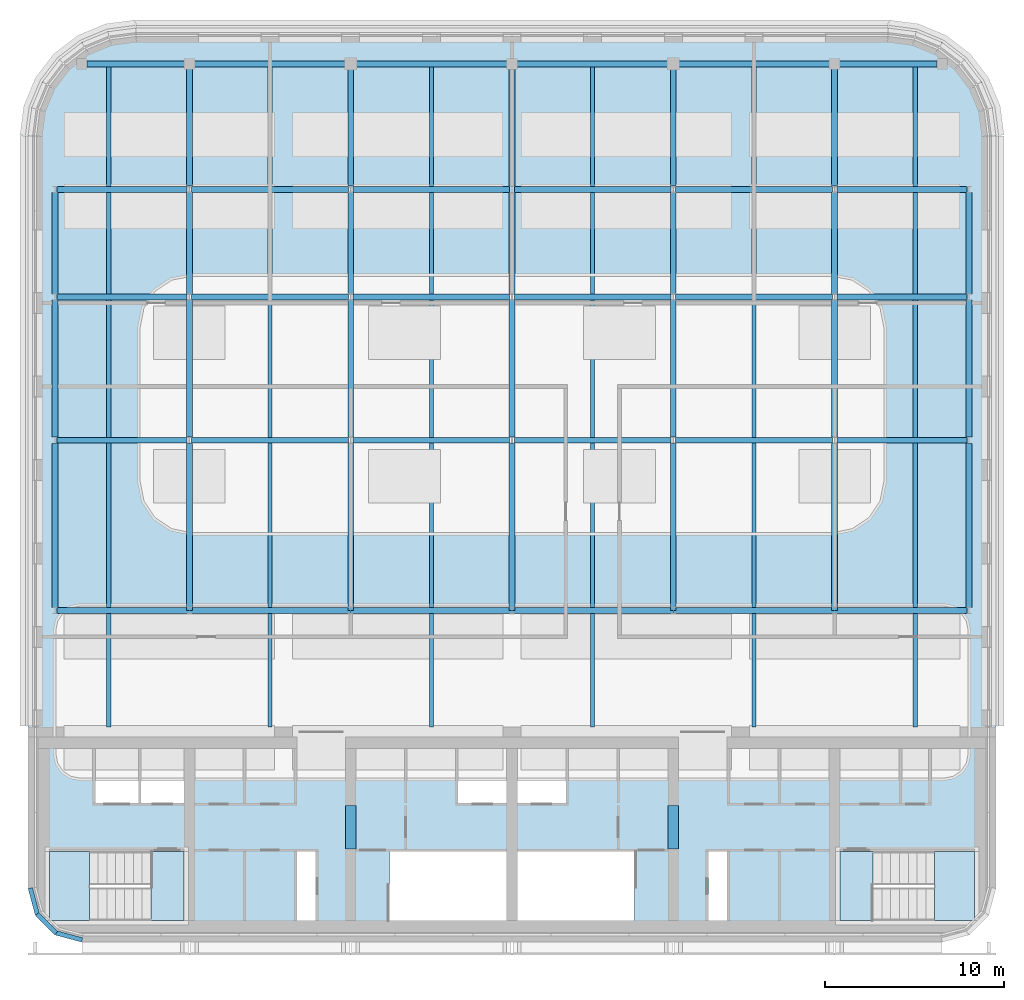
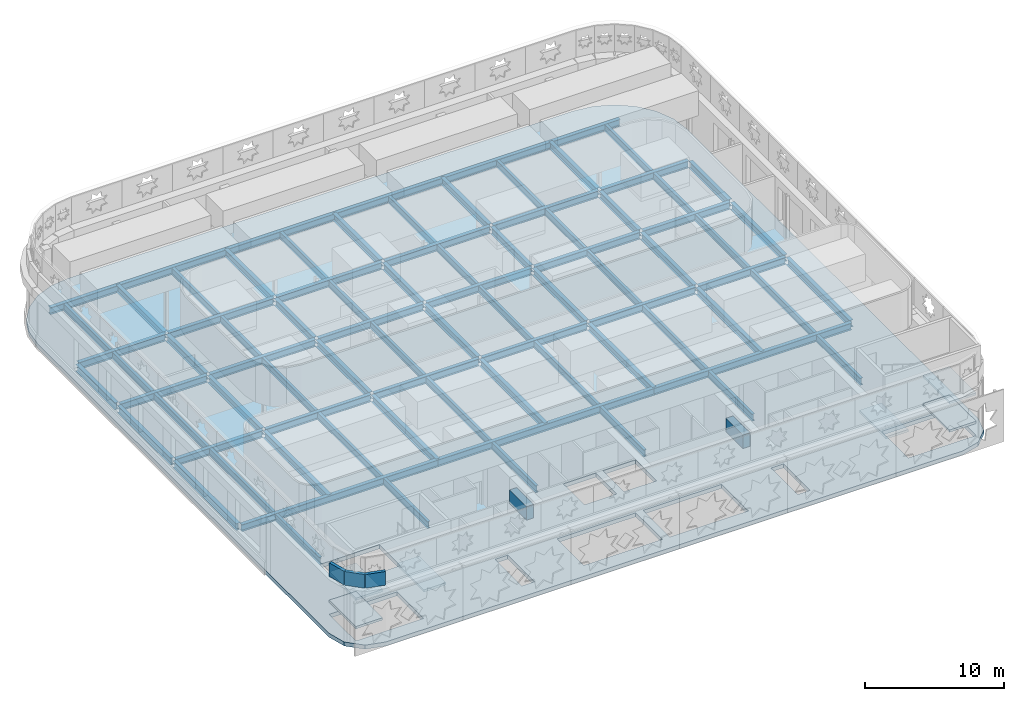
# One storey, part 5 of 14: 58 beams, 7 slabs, 3 walls, 2 elements without a shape of their own.
"""IFC4 building model written with IfcOpenShell, lengths in metres."""

from ifc_helpers import new_model, si_unit, direction, frame, frame_2d, origin, origin_2d, place, context, subcontext, project, spatial, polyline, rectangle, i_section, outline, extrude, material, layer, layer_set, material_profile, profile_set, type_object, element, aggregate, save


model = new_model("IFC4")

# Units and contexts
model_context = context("Model", 3, precision=1e-05, world=origin(), true_north=direction((0.0, 1.0)))
body_context = subcontext(model_context, "Body", "Model", "MODEL_VIEW")
ifc_project = project(units=[si_unit("LENGTHUNIT", "METRE"), si_unit("AREAUNIT", "SQUARE_METRE"), si_unit("VOLUMEUNIT", "CUBIC_METRE"), si_unit("PLANEANGLEUNIT", "RADIAN"), si_unit("MASSUNIT", "GRAM", prefix="KILO")], contexts=[model_context])

# Site, building, storey
site_placement = place(None, origin())
site = spatial("IfcSite", under=ifc_project, at=site_placement, CompositionType="ELEMENT")
building_placement = place(site_placement, origin())
building = spatial("IfcBuilding", under=site, at=building_placement, Name="Zellij Exchange Tower", CompositionType="ELEMENT")
storey_placement = place(building_placement, frame((0.0, 0.0, 305.5)))
storey = spatial("IfcBuildingStorey", under=building, at=storey_placement, Name="L71", CompositionType="ELEMENT", Elevation=305.5)

# Beams
ifc_material_1 = material(Name="Concrete C50/60", Category="concrete")
ifc_material_profile_1 = material_profile(ifc_material_1, rectangle(XDim=0.60009765625, YDim=1.199951171875, at=origin_2d()), Name="CORE-CB 600x1200 C50/60")
ifc_profile_set_1 = profile_set([ifc_material_profile_1], Name="Concrete C50/60")
beam_type_1 = type_object("IfcBeamType", Name="CORE-CB 600x1200 C50/60", PredefinedType="BEAM", material=ifc_profile_set_1)
for number, where, z_axis, x_axis, name in (
    (1, (-9.0, -8.800048828125, 3.0), (0.0, 1.0, 0.0), (-1.0, 0.0, 0.0), "Core coupling beam x -9 L71"),
    (2, (9.0, -8.800048828125, 3.0), (0.0, 1.0, 0.0), (-1.0, 0.0, 0.0), "Core coupling beam x 9 L71"),
):
    element("IfcBeam", number, at=place(storey_placement, frame(where, z_axis=z_axis, x_axis=x_axis)), inside=storey, type_object=beam_type_1, Name=name, PredefinedType="BEAM", context=body_context, shape_type="SweptSolid", body=[
        extrude(rectangle(XDim=0.60009765625, YDim=1.199951171875, at=origin_2d()), origin(), (0.0, 0.0, 1.0), 2.425048828125),
    ])
ifc_material_2 = material(Name="Structural steel ASTM A992 Gr 50", Category="steel")
ifc_material_profile_2 = material_profile(ifc_material_2, i_section(OverallWidth=0.22900390625, OverallDepth=0.612060546875, WebThickness=0.011962890625, FlangeThickness=0.01953125, at=origin_2d()), Name="W24x84")
ifc_profile_set_2 = profile_set([ifc_material_profile_2], Name="Structural steel ASTM A992 Gr 50")
beam_type_2 = type_object("IfcBeamType", Name="STR-BEAM W24x84", PredefinedType="BEAM", material=ifc_profile_set_2)
for number, where, z_axis, x_axis, name in (
    (3, (-22.5, -2.0, -0.656005859375), (0.0, 1.0, 0.0), (-1.0, 0.0, 0.0), "B6"),
    (4, (-13.5, -2.0, -0.656005859375), (0.0, 1.0, 0.0), (-1.0, 0.0, 0.0), "B6"),
    (5, (-4.5, -2.0, -0.656005859375), (0.0, 1.0, 0.0), (-1.0, 0.0, 0.0), "B6"),
    (6, (4.5, -2.0, -0.656005859375), (0.0, 1.0, 0.0), (-1.0, 0.0, 0.0), "B6"),
    (7, (13.5, -2.0, -0.656005859375), (0.0, 1.0, 0.0), (-1.0, 0.0, 0.0), "B6"),
    (8, (22.5, -2.0, -0.656005859375), (0.0, 1.0, 0.0), (-1.0, 0.0, 0.0), "B6"),
):
    element("IfcBeam", number, at=place(storey_placement, frame(where, z_axis=z_axis, x_axis=x_axis)), inside=storey, type_object=beam_type_2, Name=name, PredefinedType="BEAM", context=body_context, shape_type="SweptSolid", body=[
        extrude(i_section(OverallWidth=0.22900390625, OverallDepth=0.612060546875, WebThickness=0.011962890625, FlangeThickness=0.01953125, at=origin_2d()), origin(), (0.0, 0.0, 1.0), 37.16259765625),
    ])
ifc_material_profile_3 = material_profile(ifc_material_2, i_section(OverallWidth=0.3251953125, OverallDepth=0.612060546875, WebThickness=0.0126953125, FlangeThickness=0.01904296875, at=origin_2d()), Name="W24x104")
ifc_profile_set_3 = profile_set([ifc_material_profile_3], Name="Structural steel ASTM A992 Gr 50")
beam_type_3 = type_object("IfcBeamType", Name="STR-GIRDER W24x104", PredefinedType="BEAM", material=ifc_profile_set_3)
beam_1_placement = place(storey_placement, frame((-25.373046875, 4.5, -0.656005859375), z_axis=(1.0, 0.0, 0.0), x_axis=(0.0, 1.0, 0.0)))
element("IfcBeam", 9, at=beam_1_placement, inside=storey, type_object=beam_type_3, Name="G3", PredefinedType="BEAM", context=body_context, shape_type="SweptSolid", body=[
    extrude(i_section(OverallWidth=0.3251953125, OverallDepth=0.612060546875, WebThickness=0.0126953125, FlangeThickness=0.01904296875, at=origin_2d()), origin(), (0.0, 0.0, 1.0), 16.373046875),
])
beam_2_placement = place(storey_placement, frame((-9.0, 4.5, -0.656005859375), z_axis=(1.0, 0.0, 0.0), x_axis=(0.0, 1.0, 0.0)))
element("IfcBeam", 10, at=beam_2_placement, inside=storey, type_object=beam_type_3, Name="G3", PredefinedType="BEAM", context=body_context, shape_type="SweptSolid", body=[
    extrude(i_section(OverallWidth=0.3251953125, OverallDepth=0.612060546875, WebThickness=0.0126953125, FlangeThickness=0.01904296875, at=origin_2d()), origin(), (0.0, 0.0, 1.0), 18.0),
])
beam_3_placement = place(storey_placement, frame((9.0, 4.5, -0.656005859375), z_axis=(1.0, 0.0, 0.0), x_axis=(0.0, 1.0, 0.0)))
element("IfcBeam", 11, at=beam_3_placement, inside=storey, type_object=beam_type_3, Name="G3", PredefinedType="BEAM", context=body_context, shape_type="SweptSolid", body=[
    extrude(i_section(OverallWidth=0.3251953125, OverallDepth=0.612060546875, WebThickness=0.0126953125, FlangeThickness=0.01904296875, at=origin_2d()), origin(), (0.0, 0.0, 1.0), 16.373046875),
])
beam_4_placement = place(storey_placement, frame((-25.373046875, 14.0, -0.656005859375), z_axis=(1.0, 0.0, 0.0), x_axis=(0.0, 1.0, 0.0)))
element("IfcBeam", 12, at=beam_4_placement, inside=storey, type_object=beam_type_3, Name="G3", PredefinedType="BEAM", context=body_context, shape_type="SweptSolid", body=[
    extrude(i_section(OverallWidth=0.3251953125, OverallDepth=0.612060546875, WebThickness=0.0126953125, FlangeThickness=0.01904296875, at=origin_2d()), origin(), (0.0, 0.0, 1.0), 7.24609375),
])
for number, where, z_axis, x_axis, name in (
    (13, (-17.873046875, 14.0, -0.656005859375), (1.0, 0.0, 0.0), (0.0, 1.0, 0.0), "G3"),
    (14, (-8.873046875, 14.0, -0.656005859375), (1.0, 0.0, 0.0), (0.0, 1.0, 0.0), "G3"),
    (15, (0.126953125, 14.0, -0.656005859375), (1.0, 0.0, 0.0), (0.0, 1.0, 0.0), "G3"),
    (16, (9.126953125, 14.0, -0.656005859375), (1.0, 0.0, 0.0), (0.0, 1.0, 0.0), "G3"),
):
    element("IfcBeam", number, at=place(storey_placement, frame(where, z_axis=z_axis, x_axis=x_axis)), inside=storey, type_object=beam_type_3, Name=name, PredefinedType="BEAM", context=body_context, shape_type="SweptSolid", body=[
        extrude(i_section(OverallWidth=0.3251953125, OverallDepth=0.612060546875, WebThickness=0.0126953125, FlangeThickness=0.01904296875, at=origin_2d()), origin(), (0.0, 0.0, 1.0), 8.74609375),
    ])
for number, where, z_axis, x_axis, name in (
    (17, (18.126953125, 14.0, -0.656005859375), (1.0, 0.0, 0.0), (0.0, 1.0, 0.0), "G3"),
    (18, (-25.373046875, 22.0, -0.656005859375), (1.0, 0.0, 0.0), (0.0, 1.0, 0.0), "G3"),
):
    element("IfcBeam", number, at=place(storey_placement, frame(where, z_axis=z_axis, x_axis=x_axis)), inside=storey, type_object=beam_type_3, Name=name, PredefinedType="BEAM", context=body_context, shape_type="SweptSolid", body=[
        extrude(i_section(OverallWidth=0.3251953125, OverallDepth=0.612060546875, WebThickness=0.0126953125, FlangeThickness=0.01904296875, at=origin_2d()), origin(), (0.0, 0.0, 1.0), 7.24609375),
    ])
for number, where, z_axis, x_axis, name in (
    (19, (-17.873046875, 22.0, -0.656005859375), (1.0, 0.0, 0.0), (0.0, 1.0, 0.0), "G3"),
    (20, (-8.873046875, 22.0, -0.656005859375), (1.0, 0.0, 0.0), (0.0, 1.0, 0.0), "G3"),
    (21, (0.126953125, 22.0, -0.656005859375), (1.0, 0.0, 0.0), (0.0, 1.0, 0.0), "G3"),
    (22, (9.126953125, 22.0, -0.656005859375), (1.0, 0.0, 0.0), (0.0, 1.0, 0.0), "G3"),
):
    element("IfcBeam", number, at=place(storey_placement, frame(where, z_axis=z_axis, x_axis=x_axis)), inside=storey, type_object=beam_type_3, Name=name, PredefinedType="BEAM", context=body_context, shape_type="SweptSolid", body=[
        extrude(i_section(OverallWidth=0.3251953125, OverallDepth=0.612060546875, WebThickness=0.0126953125, FlangeThickness=0.01904296875, at=origin_2d()), origin(), (0.0, 0.0, 1.0), 8.74609375),
    ])
for number, where, z_axis, x_axis, name in (
    (23, (18.126953125, 22.0, -0.656005859375), (1.0, 0.0, 0.0), (0.0, 1.0, 0.0), "G3"),
    (24, (-25.373046875, 28.0, -0.656005859375), (1.0, 0.0, 0.0), (0.0, 1.0, 0.0), "G3"),
):
    element("IfcBeam", number, at=place(storey_placement, frame(where, z_axis=z_axis, x_axis=x_axis)), inside=storey, type_object=beam_type_3, Name=name, PredefinedType="BEAM", context=body_context, shape_type="SweptSolid", body=[
        extrude(i_section(OverallWidth=0.3251953125, OverallDepth=0.612060546875, WebThickness=0.0126953125, FlangeThickness=0.01904296875, at=origin_2d()), origin(), (0.0, 0.0, 1.0), 7.24609375),
    ])
for number, where, z_axis, x_axis, name in (
    (25, (-17.873046875, 28.0, -0.656005859375), (1.0, 0.0, 0.0), (0.0, 1.0, 0.0), "G3"),
    (26, (-8.873046875, 28.0, -0.656005859375), (1.0, 0.0, 0.0), (0.0, 1.0, 0.0), "G3"),
    (27, (0.126953125, 28.0, -0.656005859375), (1.0, 0.0, 0.0), (0.0, 1.0, 0.0), "G3"),
    (28, (9.126953125, 28.0, -0.656005859375), (1.0, 0.0, 0.0), (0.0, 1.0, 0.0), "G3"),
):
    element("IfcBeam", number, at=place(storey_placement, frame(where, z_axis=z_axis, x_axis=x_axis)), inside=storey, type_object=beam_type_3, Name=name, PredefinedType="BEAM", context=body_context, shape_type="SweptSolid", body=[
        extrude(i_section(OverallWidth=0.3251953125, OverallDepth=0.612060546875, WebThickness=0.0126953125, FlangeThickness=0.01904296875, at=origin_2d()), origin(), (0.0, 0.0, 1.0), 8.74609375),
    ])
beam_5_placement = place(storey_placement, frame((18.126953125, 28.0, -0.656005859375), z_axis=(1.0, 0.0, 0.0), x_axis=(0.0, 1.0, 0.0)))
element("IfcBeam", 29, at=beam_5_placement, inside=storey, type_object=beam_type_3, Name="G3", PredefinedType="BEAM", context=body_context, shape_type="SweptSolid", body=[
    extrude(i_section(OverallWidth=0.3251953125, OverallDepth=0.612060546875, WebThickness=0.0126953125, FlangeThickness=0.01904296875, at=origin_2d()), origin(), (0.0, 0.0, 1.0), 7.24609375),
])
beam_6_placement = place(storey_placement, frame((-23.699951171875, 35.0, -0.656005859375), z_axis=(1.0, 0.0, 0.0), x_axis=(0.0, 1.0, 0.0)))
element("IfcBeam", 30, at=beam_6_placement, inside=storey, type_object=beam_type_3, Name="G3", PredefinedType="BEAM", context=body_context, shape_type="SweptSolid", body=[
    extrude(i_section(OverallWidth=0.3251953125, OverallDepth=0.612060546875, WebThickness=0.0126953125, FlangeThickness=0.01904296875, at=origin_2d()), origin(), (0.0, 0.0, 1.0), 14.699951171875),
])
beam_7_placement = place(storey_placement, frame((-9.0, 35.0, -0.656005859375), z_axis=(1.0, 0.0, 0.0), x_axis=(0.0, 1.0, 0.0)))
element("IfcBeam", 31, at=beam_7_placement, inside=storey, type_object=beam_type_3, Name="G3", PredefinedType="BEAM", context=body_context, shape_type="SweptSolid", body=[
    extrude(i_section(OverallWidth=0.3251953125, OverallDepth=0.612060546875, WebThickness=0.0126953125, FlangeThickness=0.01904296875, at=origin_2d()), origin(), (0.0, 0.0, 1.0), 18.0),
])
beam_8_placement = place(storey_placement, frame((9.0, 35.0, -0.656005859375), z_axis=(1.0, 0.0, 0.0), x_axis=(0.0, 1.0, 0.0)))
element("IfcBeam", 32, at=beam_8_placement, inside=storey, type_object=beam_type_3, Name="G3", PredefinedType="BEAM", context=body_context, shape_type="SweptSolid", body=[
    extrude(i_section(OverallWidth=0.3251953125, OverallDepth=0.612060546875, WebThickness=0.0126953125, FlangeThickness=0.01904296875, at=origin_2d()), origin(), (0.0, 0.0, 1.0), 14.699951171875),
])
beam_9_placement = place(storey_placement, frame((-25.5, 4.676513671875, -0.656005859375), z_axis=(0.0, 1.0, 0.0), x_axis=(-1.0, 0.0, 0.0)))
element("IfcBeam", 33, at=beam_9_placement, inside=storey, type_object=beam_type_3, Name="G3", PredefinedType="BEAM", context=body_context, shape_type="SweptSolid", body=[
    extrude(i_section(OverallWidth=0.3251953125, OverallDepth=0.612060546875, WebThickness=0.0126953125, FlangeThickness=0.01904296875, at=origin_2d()), origin(), (0.0, 0.0, 1.0), 9.14697265625),
])
beam_10_placement = place(storey_placement, frame((-25.5, 14.176513671875, -0.656005859375), z_axis=(0.0, 1.0, 0.0), x_axis=(-1.0, 0.0, 0.0)))
element("IfcBeam", 34, at=beam_10_placement, inside=storey, type_object=beam_type_3, Name="G3", PredefinedType="BEAM", context=body_context, shape_type="SweptSolid", body=[
    extrude(i_section(OverallWidth=0.3251953125, OverallDepth=0.612060546875, WebThickness=0.0126953125, FlangeThickness=0.01904296875, at=origin_2d()), origin(), (0.0, 0.0, 1.0), 7.64697265625),
])
beam_11_placement = place(storey_placement, frame((-25.5, 22.176513671875, -0.656005859375), z_axis=(0.0, 1.0, 0.0), x_axis=(-1.0, 0.0, 0.0)))
element("IfcBeam", 35, at=beam_11_placement, inside=storey, type_object=beam_type_3, Name="G3", PredefinedType="BEAM", context=body_context, shape_type="SweptSolid", body=[
    extrude(i_section(OverallWidth=0.3251953125, OverallDepth=0.612060546875, WebThickness=0.0126953125, FlangeThickness=0.01904296875, at=origin_2d()), origin(), (0.0, 0.0, 1.0), 5.64697265625),
])
beam_12_placement = place(storey_placement, frame((-18.0, 4.5, -0.656005859375), z_axis=(0.0, 1.0, 0.0), x_axis=(-1.0, 0.0, 0.0)))
element("IfcBeam", 36, at=beam_12_placement, inside=storey, type_object=beam_type_3, Name="G3", PredefinedType="BEAM", context=body_context, shape_type="SweptSolid", body=[
    extrude(i_section(OverallWidth=0.3251953125, OverallDepth=0.612060546875, WebThickness=0.0126953125, FlangeThickness=0.01904296875, at=origin_2d()), origin(), (0.0, 0.0, 1.0), 9.323486328125),
])
beam_13_placement = place(storey_placement, frame((-18.0, 14.176513671875, -0.656005859375), z_axis=(0.0, 1.0, 0.0), x_axis=(-1.0, 0.0, 0.0)))
element("IfcBeam", 37, at=beam_13_placement, inside=storey, type_object=beam_type_3, Name="G3", PredefinedType="BEAM", context=body_context, shape_type="SweptSolid", body=[
    extrude(i_section(OverallWidth=0.3251953125, OverallDepth=0.612060546875, WebThickness=0.0126953125, FlangeThickness=0.01904296875, at=origin_2d()), origin(), (0.0, 0.0, 1.0), 7.64697265625),
])
beam_14_placement = place(storey_placement, frame((-18.0, 22.176513671875, -0.656005859375), z_axis=(0.0, 1.0, 0.0), x_axis=(-1.0, 0.0, 0.0)))
element("IfcBeam", 38, at=beam_14_placement, inside=storey, type_object=beam_type_3, Name="G3", PredefinedType="BEAM", context=body_context, shape_type="SweptSolid", body=[
    extrude(i_section(OverallWidth=0.3251953125, OverallDepth=0.612060546875, WebThickness=0.0126953125, FlangeThickness=0.01904296875, at=origin_2d()), origin(), (0.0, 0.0, 1.0), 5.64697265625),
])
beam_15_placement = place(storey_placement, frame((-18.0, 28.176513671875, -0.656005859375), z_axis=(0.0, 1.0, 0.0), x_axis=(-1.0, 0.0, 0.0)))
element("IfcBeam", 39, at=beam_15_placement, inside=storey, type_object=beam_type_3, Name="G3", PredefinedType="BEAM", context=body_context, shape_type="SweptSolid", body=[
    extrude(i_section(OverallWidth=0.3251953125, OverallDepth=0.612060546875, WebThickness=0.0126953125, FlangeThickness=0.01904296875, at=origin_2d()), origin(), (0.0, 0.0, 1.0), 6.823486328125),
])
beam_16_placement = place(storey_placement, frame((-9.0, 4.5, -0.656005859375), z_axis=(0.0, 1.0, 0.0), x_axis=(-1.0, 0.0, 0.0)))
element("IfcBeam", 40, at=beam_16_placement, inside=storey, type_object=beam_type_3, Name="G3", PredefinedType="BEAM", context=body_context, shape_type="SweptSolid", body=[
    extrude(i_section(OverallWidth=0.3251953125, OverallDepth=0.612060546875, WebThickness=0.0126953125, FlangeThickness=0.01904296875, at=origin_2d()), origin(), (0.0, 0.0, 1.0), 9.323486328125),
])
beam_17_placement = place(storey_placement, frame((-9.0, 14.176513671875, -0.656005859375), z_axis=(0.0, 1.0, 0.0), x_axis=(-1.0, 0.0, 0.0)))
element("IfcBeam", 41, at=beam_17_placement, inside=storey, type_object=beam_type_3, Name="G3", PredefinedType="BEAM", context=body_context, shape_type="SweptSolid", body=[
    extrude(i_section(OverallWidth=0.3251953125, OverallDepth=0.612060546875, WebThickness=0.0126953125, FlangeThickness=0.01904296875, at=origin_2d()), origin(), (0.0, 0.0, 1.0), 7.64697265625),
])
beam_18_placement = place(storey_placement, frame((-9.0, 22.176513671875, -0.656005859375), z_axis=(0.0, 1.0, 0.0), x_axis=(-1.0, 0.0, 0.0)))
element("IfcBeam", 42, at=beam_18_placement, inside=storey, type_object=beam_type_3, Name="G3", PredefinedType="BEAM", context=body_context, shape_type="SweptSolid", body=[
    extrude(i_section(OverallWidth=0.3251953125, OverallDepth=0.612060546875, WebThickness=0.0126953125, FlangeThickness=0.01904296875, at=origin_2d()), origin(), (0.0, 0.0, 1.0), 5.64697265625),
])
beam_19_placement = place(storey_placement, frame((-9.0, 28.176513671875, -0.656005859375), z_axis=(0.0, 1.0, 0.0), x_axis=(-1.0, 0.0, 0.0)))
element("IfcBeam", 43, at=beam_19_placement, inside=storey, type_object=beam_type_3, Name="G3", PredefinedType="BEAM", context=body_context, shape_type="SweptSolid", body=[
    extrude(i_section(OverallWidth=0.3251953125, OverallDepth=0.612060546875, WebThickness=0.0126953125, FlangeThickness=0.01904296875, at=origin_2d()), origin(), (0.0, 0.0, 1.0), 6.823486328125),
])
beam_20_placement = place(storey_placement, frame((0.0, 4.5, -0.656005859375), z_axis=(0.0, 1.0, 0.0), x_axis=(-1.0, 0.0, 0.0)))
element("IfcBeam", 44, at=beam_20_placement, inside=storey, type_object=beam_type_3, Name="G3", PredefinedType="BEAM", context=body_context, shape_type="SweptSolid", body=[
    extrude(i_section(OverallWidth=0.3251953125, OverallDepth=0.612060546875, WebThickness=0.0126953125, FlangeThickness=0.01904296875, at=origin_2d()), origin(), (0.0, 0.0, 1.0), 9.323486328125),
])
beam_21_placement = place(storey_placement, frame((0.0, 14.176513671875, -0.656005859375), z_axis=(0.0, 1.0, 0.0), x_axis=(-1.0, 0.0, 0.0)))
element("IfcBeam", 45, at=beam_21_placement, inside=storey, type_object=beam_type_3, Name="G3", PredefinedType="BEAM", context=body_context, shape_type="SweptSolid", body=[
    extrude(i_section(OverallWidth=0.3251953125, OverallDepth=0.612060546875, WebThickness=0.0126953125, FlangeThickness=0.01904296875, at=origin_2d()), origin(), (0.0, 0.0, 1.0), 7.64697265625),
])
beam_22_placement = place(storey_placement, frame((0.0, 22.176513671875, -0.656005859375), z_axis=(0.0, 1.0, 0.0), x_axis=(-1.0, 0.0, 0.0)))
element("IfcBeam", 46, at=beam_22_placement, inside=storey, type_object=beam_type_3, Name="G3", PredefinedType="BEAM", context=body_context, shape_type="SweptSolid", body=[
    extrude(i_section(OverallWidth=0.3251953125, OverallDepth=0.612060546875, WebThickness=0.0126953125, FlangeThickness=0.01904296875, at=origin_2d()), origin(), (0.0, 0.0, 1.0), 5.64697265625),
])
beam_23_placement = place(storey_placement, frame((0.0, 28.176513671875, -0.656005859375), z_axis=(0.0, 1.0, 0.0), x_axis=(-1.0, 0.0, 0.0)))
element("IfcBeam", 47, at=beam_23_placement, inside=storey, type_object=beam_type_3, Name="G3", PredefinedType="BEAM", context=body_context, shape_type="SweptSolid", body=[
    extrude(i_section(OverallWidth=0.3251953125, OverallDepth=0.612060546875, WebThickness=0.0126953125, FlangeThickness=0.01904296875, at=origin_2d()), origin(), (0.0, 0.0, 1.0), 6.823486328125),
])
beam_24_placement = place(storey_placement, frame((9.0, 4.5, -0.656005859375), z_axis=(0.0, 1.0, 0.0), x_axis=(-1.0, 0.0, 0.0)))
element("IfcBeam", 48, at=beam_24_placement, inside=storey, type_object=beam_type_3, Name="G3", PredefinedType="BEAM", context=body_context, shape_type="SweptSolid", body=[
    extrude(i_section(OverallWidth=0.3251953125, OverallDepth=0.612060546875, WebThickness=0.0126953125, FlangeThickness=0.01904296875, at=origin_2d()), origin(), (0.0, 0.0, 1.0), 9.323486328125),
])
beam_25_placement = place(storey_placement, frame((9.0, 14.176513671875, -0.656005859375), z_axis=(0.0, 1.0, 0.0), x_axis=(-1.0, 0.0, 0.0)))
element("IfcBeam", 49, at=beam_25_placement, inside=storey, type_object=beam_type_3, Name="G3", PredefinedType="BEAM", context=body_context, shape_type="SweptSolid", body=[
    extrude(i_section(OverallWidth=0.3251953125, OverallDepth=0.612060546875, WebThickness=0.0126953125, FlangeThickness=0.01904296875, at=origin_2d()), origin(), (0.0, 0.0, 1.0), 7.64697265625),
])
beam_26_placement = place(storey_placement, frame((9.0, 22.176513671875, -0.656005859375), z_axis=(0.0, 1.0, 0.0), x_axis=(-1.0, 0.0, 0.0)))
element("IfcBeam", 50, at=beam_26_placement, inside=storey, type_object=beam_type_3, Name="G3", PredefinedType="BEAM", context=body_context, shape_type="SweptSolid", body=[
    extrude(i_section(OverallWidth=0.3251953125, OverallDepth=0.612060546875, WebThickness=0.0126953125, FlangeThickness=0.01904296875, at=origin_2d()), origin(), (0.0, 0.0, 1.0), 5.64697265625),
])
beam_27_placement = place(storey_placement, frame((9.0, 28.176513671875, -0.656005859375), z_axis=(0.0, 1.0, 0.0), x_axis=(-1.0, 0.0, 0.0)))
element("IfcBeam", 51, at=beam_27_placement, inside=storey, type_object=beam_type_3, Name="G3", PredefinedType="BEAM", context=body_context, shape_type="SweptSolid", body=[
    extrude(i_section(OverallWidth=0.3251953125, OverallDepth=0.612060546875, WebThickness=0.0126953125, FlangeThickness=0.01904296875, at=origin_2d()), origin(), (0.0, 0.0, 1.0), 6.823486328125),
])
beam_28_placement = place(storey_placement, frame((18.0, 4.5, -0.656005859375), z_axis=(0.0, 1.0, 0.0), x_axis=(-1.0, 0.0, 0.0)))
element("IfcBeam", 52, at=beam_28_placement, inside=storey, type_object=beam_type_3, Name="G3", PredefinedType="BEAM", context=body_context, shape_type="SweptSolid", body=[
    extrude(i_section(OverallWidth=0.3251953125, OverallDepth=0.612060546875, WebThickness=0.0126953125, FlangeThickness=0.01904296875, at=origin_2d()), origin(), (0.0, 0.0, 1.0), 9.323486328125),
])
beam_29_placement = place(storey_placement, frame((18.0, 14.176513671875, -0.656005859375), z_axis=(0.0, 1.0, 0.0), x_axis=(-1.0, 0.0, 0.0)))
element("IfcBeam", 53, at=beam_29_placement, inside=storey, type_object=beam_type_3, Name="G3", PredefinedType="BEAM", context=body_context, shape_type="SweptSolid", body=[
    extrude(i_section(OverallWidth=0.3251953125, OverallDepth=0.612060546875, WebThickness=0.0126953125, FlangeThickness=0.01904296875, at=origin_2d()), origin(), (0.0, 0.0, 1.0), 7.64697265625),
])
beam_30_placement = place(storey_placement, frame((18.0, 22.176513671875, -0.656005859375), z_axis=(0.0, 1.0, 0.0), x_axis=(-1.0, 0.0, 0.0)))
element("IfcBeam", 54, at=beam_30_placement, inside=storey, type_object=beam_type_3, Name="G3", PredefinedType="BEAM", context=body_context, shape_type="SweptSolid", body=[
    extrude(i_section(OverallWidth=0.3251953125, OverallDepth=0.612060546875, WebThickness=0.0126953125, FlangeThickness=0.01904296875, at=origin_2d()), origin(), (0.0, 0.0, 1.0), 5.64697265625),
])
beam_31_placement = place(storey_placement, frame((18.0, 28.176513671875, -0.656005859375), z_axis=(0.0, 1.0, 0.0), x_axis=(-1.0, 0.0, 0.0)))
element("IfcBeam", 55, at=beam_31_placement, inside=storey, type_object=beam_type_3, Name="G3", PredefinedType="BEAM", context=body_context, shape_type="SweptSolid", body=[
    extrude(i_section(OverallWidth=0.3251953125, OverallDepth=0.612060546875, WebThickness=0.0126953125, FlangeThickness=0.01904296875, at=origin_2d()), origin(), (0.0, 0.0, 1.0), 6.823486328125),
])
beam_32_placement = place(storey_placement, frame((25.5, 4.676513671875, -0.656005859375), z_axis=(0.0, 1.0, 0.0), x_axis=(-1.0, 0.0, 0.0)))
element("IfcBeam", 56, at=beam_32_placement, inside=storey, type_object=beam_type_3, Name="G3", PredefinedType="BEAM", context=body_context, shape_type="SweptSolid", body=[
    extrude(i_section(OverallWidth=0.3251953125, OverallDepth=0.612060546875, WebThickness=0.0126953125, FlangeThickness=0.01904296875, at=origin_2d()), origin(), (0.0, 0.0, 1.0), 9.14697265625),
])
beam_33_placement = place(storey_placement, frame((25.5, 14.176513671875, -0.656005859375), z_axis=(0.0, 1.0, 0.0), x_axis=(-1.0, 0.0, 0.0)))
element("IfcBeam", 57, at=beam_33_placement, inside=storey, type_object=beam_type_3, Name="G3", PredefinedType="BEAM", context=body_context, shape_type="SweptSolid", body=[
    extrude(i_section(OverallWidth=0.3251953125, OverallDepth=0.612060546875, WebThickness=0.0126953125, FlangeThickness=0.01904296875, at=origin_2d()), origin(), (0.0, 0.0, 1.0), 7.64697265625),
])
beam_34_placement = place(storey_placement, frame((25.5, 22.176513671875, -0.656005859375), z_axis=(0.0, 1.0, 0.0), x_axis=(-1.0, 0.0, 0.0)))
element("IfcBeam", 58, at=beam_34_placement, inside=storey, type_object=beam_type_3, Name="G3", PredefinedType="BEAM", context=body_context, shape_type="SweptSolid", body=[
    extrude(i_section(OverallWidth=0.3251953125, OverallDepth=0.612060546875, WebThickness=0.0126953125, FlangeThickness=0.01904296875, at=origin_2d()), origin(), (0.0, 0.0, 1.0), 5.64697265625),
])

# Stair, slabs
ifc_material_3 = material(Name="Concrete C40/50", Category="concrete")
stair_type = type_object("IfcStairType", Name="CORE-ST exit stair 1850 wide", PredefinedType="HALF_TURN_STAIR", material=ifc_material_3)
stair_1_placement = place(storey_placement, origin())
stair_1 = element("IfcStair", 59, at=stair_1_placement, inside=storey, type_object=stair_type, Name="L71 exit stair ST1", PredefinedType="HALF_TURN_STAIR")
ifc_layer_1 = layer(ifc_material_3, 0.199951171875)
ifc_layer_set_1 = layer_set([ifc_layer_1], Name="Concrete C40/50")
slab_type_1 = type_object("IfcSlabType", Name="CORE-SL stair landing 200", PredefinedType="LANDING", material=ifc_layer_set_1)
slab_1_placement = place(storey_placement, frame((0.0, 0.0, 1.050048828125)))
slab_1 = element("IfcSlab", 60, at=slab_1_placement, type_object=slab_type_1, Name="ST1 landing 1", PredefinedType="LANDING", context=body_context, shape_type="SweptSolid", body=[
    extrude(outline(polyline([(-23.580078125, -8.949951171875), (-25.800048828125, -8.949951171875), (-25.800048828125, -12.800048828125), (-23.580078125, -12.800048828125), (-23.580078125, -8.949951171875)])), origin(), (0.0, 0.0, 1.0), 0.199951171875),
])
slab_2_placement = place(storey_placement, frame((0.0, 0.0, 2.300048828125)))
slab_2 = element("IfcSlab", 61, at=slab_2_placement, type_object=slab_type_1, Name="ST1 landing 2", PredefinedType="LANDING", context=body_context, shape_type="SweptSolid", body=[
    extrude(outline(polyline([(-18.300048828125, -8.949951171875), (-20.14990234375, -8.949951171875), (-20.14990234375, -12.800048828125), (-18.300048828125, -12.800048828125), (-18.300048828125, -8.949951171875)])), origin(), (0.0, 0.0, 1.0), 0.199951171875),
])
slab_3_placement = place(storey_placement, frame((0.0, 0.0, 3.550048828125)))
slab_3 = element("IfcSlab", 62, at=slab_3_placement, type_object=slab_type_1, Name="ST1 landing 3", PredefinedType="LANDING", context=body_context, shape_type="SweptSolid", body=[
    extrude(outline(polyline([(-23.580078125, -8.949951171875), (-25.800048828125, -8.949951171875), (-25.800048828125, -12.800048828125), (-23.580078125, -12.800048828125), (-23.580078125, -8.949951171875)])), origin(), (0.0, 0.0, 1.0), 0.199951171875),
])
aggregate(stair_1, [slab_1, slab_2, slab_3])

stair_2_placement = place(storey_placement, origin())
stair_2 = element("IfcStair", 63, at=stair_2_placement, inside=storey, type_object=stair_type, Name="L71 exit stair ST4", PredefinedType="HALF_TURN_STAIR")
slab_4_placement = place(storey_placement, frame((0.0, 0.0, 1.050048828125)))
slab_4 = element("IfcSlab", 64, at=slab_4_placement, type_object=slab_type_1, Name="ST4 landing 1", PredefinedType="LANDING", context=body_context, shape_type="SweptSolid", body=[
    extrude(outline(polyline([(23.580078125, -12.800048828125), (25.800048828125, -12.800048828125), (25.800048828125, -8.949951171875), (23.580078125, -8.949951171875), (23.580078125, -12.800048828125)])), origin(), (0.0, 0.0, 1.0), 0.199951171875),
])
slab_5_placement = place(storey_placement, frame((0.0, 0.0, 2.300048828125)))
slab_5 = element("IfcSlab", 65, at=slab_5_placement, type_object=slab_type_1, Name="ST4 landing 2", PredefinedType="LANDING", context=body_context, shape_type="SweptSolid", body=[
    extrude(outline(polyline([(18.300048828125, -12.800048828125), (20.14990234375, -12.800048828125), (20.14990234375, -8.949951171875), (18.300048828125, -8.949951171875), (18.300048828125, -12.800048828125)])), origin(), (0.0, 0.0, 1.0), 0.199951171875),
])
slab_6_placement = place(storey_placement, frame((0.0, 0.0, 3.550048828125)))
slab_6 = element("IfcSlab", 66, at=slab_6_placement, type_object=slab_type_1, Name="ST4 landing 3", PredefinedType="LANDING", context=body_context, shape_type="SweptSolid", body=[
    extrude(outline(polyline([(23.580078125, -12.800048828125), (25.800048828125, -12.800048828125), (25.800048828125, -8.949951171875), (23.580078125, -8.949951171875), (23.580078125, -12.800048828125)])), origin(), (0.0, 0.0, 1.0), 0.199951171875),
])
aggregate(stair_2, [slab_4, slab_5, slab_6])

# Slab
ifc_layer_2 = layer(ifc_material_3, 0.35009765625)
ifc_layer_set_2 = layer_set([ifc_layer_2], Name="Concrete C40/50")
slab_type_2 = type_object("IfcSlabType", Name="STR-FLOOR SLAB 350 C40/50", PredefinedType="FLOOR", material=ifc_layer_set_2)
slab_7_placement = place(storey_placement, frame((0.0, 0.0, -0.35009765625)))
element("IfcSlab", 67, at=slab_7_placement, inside=storey, type_object=slab_type_2, Name="Floor L71", PredefinedType="FLOOR", context=body_context, shape_type="SweptSolid", body=[
    extrude(outline(polyline([(-24.0, -14.0), (-25.5, -13.59814453125), (-26.59814453125, -12.5), (-27.0, -11.0), (-27.0, 31.0), (-26.795654296875, 32.552978515625), (-26.1962890625, 34.0), (-25.24267578125, 35.24267578125), (-24.0, 36.1962890625), (-22.552978515625, 36.795654296875), (-21.0, 37.0), (21.0, 37.0), (22.552978515625, 36.795654296875), (24.0, 36.1962890625), (25.24267578125, 35.24267578125), (26.1962890625, 34.0), (26.795654296875, 32.552978515625), (27.0, 31.0), (27.0, -11.0), (26.59814453125, -12.5), (25.5, -13.59814453125), (24.0, -14.0), (-24.0, -14.0)]), holes=[polyline([(-25.800048828125, -8.949951171875), (-25.800048828125, -12.800048828125), (-20.153076171875, -12.800048828125), (-20.153076171875, -8.949951171875), (-25.800048828125, -8.949951171875)]), polyline([(-12.0, -8.949951171875), (-12.0, -12.800048828125), (-10.949951171875, -12.800048828125), (-10.949951171875, -8.949951171875), (-12.0, -8.949951171875)]), polyline([(-6.846923828125, -8.949951171875), (-6.846923828125, -12.800048828125), (-0.300048828125, -12.800048828125), (-0.300048828125, -8.949951171875), (-6.846923828125, -8.949951171875)]), polyline([(0.300048828125, -8.949951171875), (0.300048828125, -12.800048828125), (6.846923828125, -12.800048828125), (6.846923828125, -8.949951171875), (0.300048828125, -8.949951171875)]), polyline([(10.949951171875, -8.949951171875), (10.949951171875, -12.800048828125), (12.0, -12.800048828125), (12.0, -8.949951171875), (10.949951171875, -8.949951171875)]), polyline([(20.153076171875, -8.949951171875), (20.153076171875, -12.800048828125), (25.800048828125, -12.800048828125), (25.800048828125, -8.949951171875), (20.153076171875, -8.949951171875)]), polyline([(-23.25, -3.199951171875), (-23.25, -6.22509765625), (-18.300048828125, -6.22509765625), (-18.300048828125, -3.199951171875), (-23.25, -3.199951171875)]), polyline([(-0.300048828125, -3.199951171875), (-3.0, -3.199951171875), (-3.0, -6.22509765625), (-0.300048828125, -6.22509765625), (-0.300048828125, -3.199951171875)]), polyline([(3.0, -3.199951171875), (0.300048828125, -3.199951171875), (0.300048828125, -6.22509765625), (3.0, -6.22509765625), (3.0, -3.199951171875)])]), origin(), (0.0, 0.0, 1.0), 0.35009765625),
])

# Walls
ifc_material_4 = material(Name="Precast concrete C40/50", Category="concrete")
ifc_layer_3 = layer(ifc_material_4, 0.25)
ifc_layer_set_3 = layer_set([ifc_layer_3], Name="Precast concrete C40/50")
wall_type = type_object("IfcWallType", Name="ENV-PR1 Parapet 250", PredefinedType="PARAPET", material=ifc_layer_set_3)
wall_1_placement = place(storey_placement, frame((-26.875, -10.9833984375, 5.0), z_axis=(0.0, 0.0, 1.0), x_axis=(0.258744204086, -0.965945876772, 0.0)))
element("IfcWall", 68, at=wall_1_placement, inside=storey, type_object=wall_type, Name="fac.par.roof.19.00000.01", PredefinedType="PARAPET", context=body_context, shape_type="SweptSolid", body=[
    extrude(rectangle(XDim=1.503173828125, YDim=0.25, at=frame_2d((0.75146484375, 0.0))), origin(), (0.0, 0.0, 1.0), 1.199951171875),
])
wall_2_placement = place(storey_placement, frame((-26.486083984375, -12.435302734375, 5.0), z_axis=(0.0, 0.0, 1.0), x_axis=(0.707106781187, -0.707106781187, 0.0)))
element("IfcWall", 69, at=wall_2_placement, inside=storey, type_object=wall_type, Name="fac.par.roof.20.00000.01", PredefinedType="PARAPET", context=body_context, shape_type="SweptSolid", body=[
    extrude(rectangle(XDim=1.486083984375, YDim=0.25, at=frame_2d((0.7431640625, 0.0))), origin(), (0.0, 0.0, 1.0), 1.199951171875),
])
wall_3_placement = place(storey_placement, frame((-25.435302734375, -13.486083984375, 5.0), z_axis=(0.0, 0.0, 1.0), x_axis=(0.965945876772, -0.258744204086, 0.0)))
element("IfcWall", 70, at=wall_3_placement, inside=storey, type_object=wall_type, Name="fac.par.roof.21.00000.01", PredefinedType="PARAPET", context=body_context, shape_type="SweptSolid", body=[
    extrude(rectangle(XDim=1.503173828125, YDim=0.25, at=frame_2d((0.75146484375, 0.0))), origin(), (0.0, 0.0, 1.0), 1.199951171875),
])

save(model, "model.ifc")
